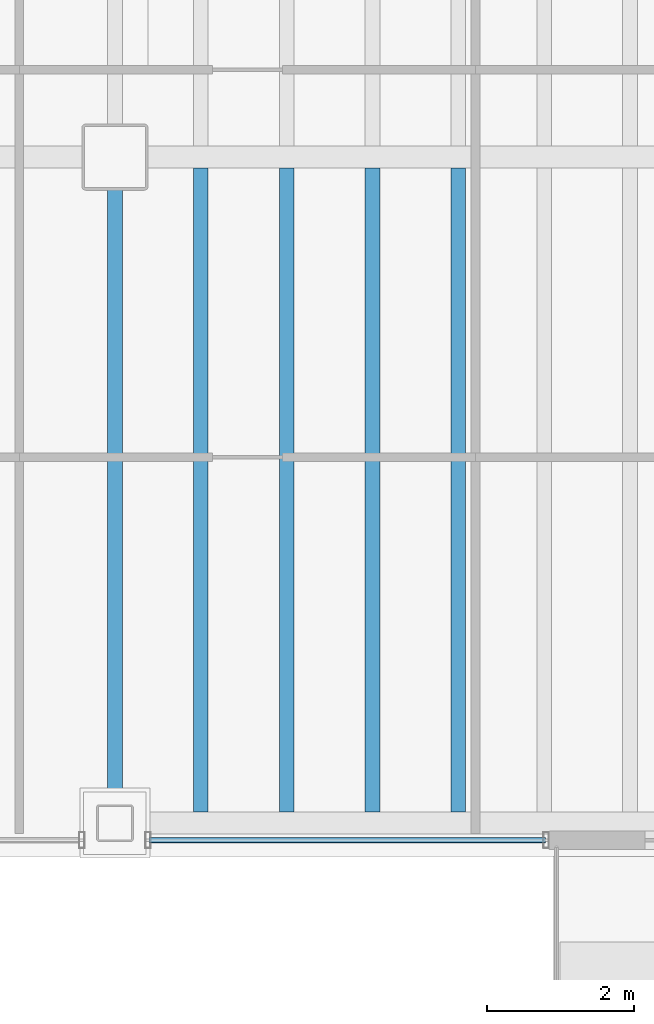
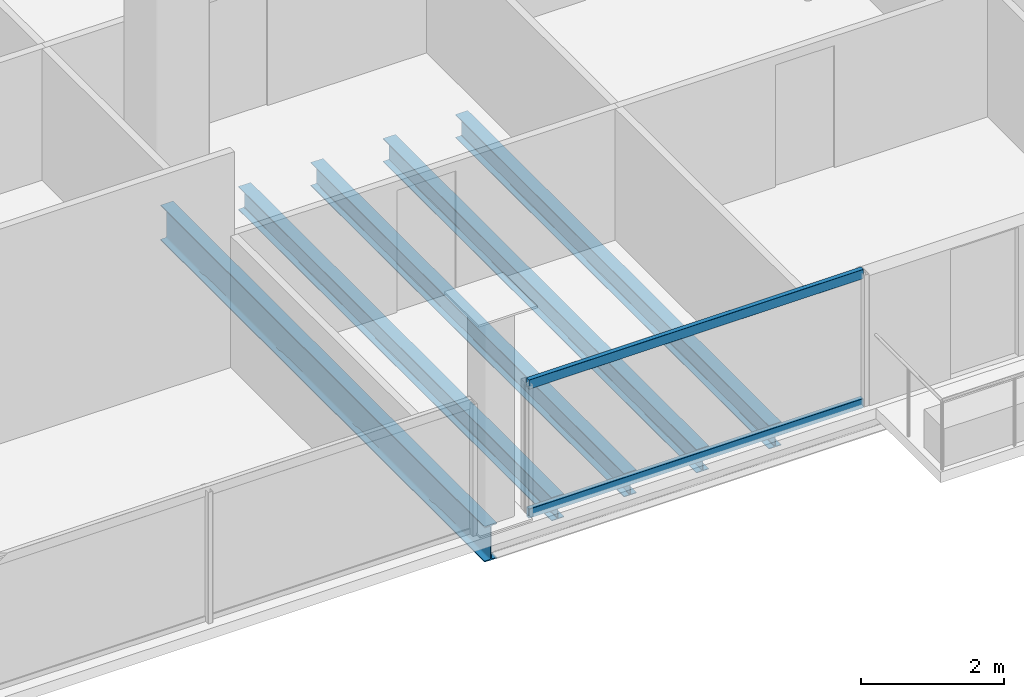
# One storey, part 3 of 22: 5 beams, 2 members, 1 element without a shape of its own.
"""IFC4 building model written with IfcOpenShell, lengths in metres."""

import ifcopenshell
import ifcopenshell.guid

model = None  # the IFC model being written
_history = None  # IfcOwnerHistory: only IFC2X3 demands one
_inside = {}  # id of a spatial element -> (the spatial element, [elements in it])
_under = {}  # id of a project, library or spatial element -> (it, [spatial elements below it])
_declared = {}  # id of a project -> (the project, [libraries it declares])
_typed = {}  # id of a type object -> (the type object, [elements of that type])
_made_of = {}  # id of a material, layer set ... -> (it, [elements and type objects made of it])


def new_model(schema):
    """Start an empty IFC model of exactly this schema.

    Asked for "IFC4X3", IfcOpenShell would pick the latest addendum, in which some entities
    have other attributes; the version numbers below select the first issue.
    IFC2X3 requires an IfcOwnerHistory on every rooted entity: one is made here for all.
    """
    global model, _history
    if schema == "IFC4X3":
        model = ifcopenshell.file(schema_version=(4, 3, 0, 0))
    else:
        model = ifcopenshell.file(schema=schema)
    _inside.clear()
    _under.clear()
    _declared.clear()
    _typed.clear()
    _made_of.clear()
    _history = None
    if model.schema == "IFC2X3":
        org = make("IfcOrganization", Name="unknown")
        user = make(
            "IfcPersonAndOrganization",
            ThePerson=make("IfcPerson", FamilyName="unknown"),
            TheOrganization=org,
        )
        app = make(
            "IfcApplication",
            ApplicationDeveloper=org,
            Version="unknown",
            ApplicationFullName="unknown",
            ApplicationIdentifier="unknown",
        )
        _history = make(
            "IfcOwnerHistory",
            OwningUser=user,
            OwningApplication=app,
            ChangeAction="ADDED",
            CreationDate=0,
        )
    return model


def make(cls, **values):
    """One entity of the class cls with the attributes given. An attribute that is None is left unset."""
    return model.create_entity(
        cls, **{name: value for name, value in values.items() if value is not None}
    )


def rooted(cls, **values):
    """An entity with a GlobalId (a new one), such as an element, a storey or a relation."""
    return make(cls, GlobalId=ifcopenshell.guid.new(), OwnerHistory=_history, **values)


def si_unit(unit_type, name, prefix=None):
    """IfcSIUnit, for example si_unit("LENGTHUNIT", "METRE", prefix="MILLI")."""
    return make("IfcSIUnit", UnitType=unit_type, Prefix=prefix, Name=name)


def assignment(units):
    """IfcUnitAssignment: the units of a project."""
    return None if units is None else make("IfcUnitAssignment", Units=units)


def point(xyz):
    """IfcCartesianPoint."""
    return None if xyz is None else make("IfcCartesianPoint", Coordinates=xyz)


def direction(xyz):
    """IfcDirection."""
    return None if xyz is None else make("IfcDirection", DirectionRatios=xyz)


def frame(location, z_axis=None, x_axis=None):
    """IfcAxis2Placement3D, a coordinate frame: its origin and axes. An axis left out is left unset."""
    return make(
        "IfcAxis2Placement3D",
        Location=point(location),
        Axis=direction(z_axis),
        RefDirection=direction(x_axis),
    )


def frame_2d(location, x_axis=None):
    """IfcAxis2Placement2D, a coordinate frame in the plane: its origin and x axis."""
    return make(
        "IfcAxis2Placement2D", Location=point(location), RefDirection=direction(x_axis)
    )


def origin():
    """The frame at (0, 0, 0) with its axes left unset."""
    return frame((0.0, 0.0, 0.0))


def origin_2d():
    """The frame at (0, 0) in the plane with its x axis left unset."""
    return frame_2d((0.0, 0.0))


def place(relative_to, where):
    """IfcLocalPlacement: puts the frame where relative to a parent placement (None: the world)."""
    return make(
        "IfcLocalPlacement", PlacementRelTo=relative_to, RelativePlacement=where
    )


def context(
    kind, dimensions, precision=None, world=None, true_north=None, identifier=None
):
    """IfcGeometricRepresentationContext, for example the 3D "Model" context."""
    return make(
        "IfcGeometricRepresentationContext",
        ContextIdentifier=identifier,
        ContextType=kind,
        CoordinateSpaceDimension=dimensions,
        Precision=precision,
        WorldCoordinateSystem=world,
        TrueNorth=true_north,
    )


def subcontext(parent, identifier, kind, view, scale=None):
    """IfcGeometricRepresentationSubContext, for example "Body" below "Model"."""
    return make(
        "IfcGeometricRepresentationSubContext",
        ContextIdentifier=identifier,
        ContextType=kind,
        ParentContext=parent,
        TargetScale=scale,
        TargetView=view,
    )


def project(units=None, contexts=None):
    """IfcProject with its units and contexts."""
    return rooted(
        "IfcProject",
        Name="project",
        RepresentationContexts=contexts,
        UnitsInContext=assignment(units),
    )


def spatial(cls, under=None, at=None, **own):
    """A site, building, storey or space (cls), placed at a placement, below another one or the project."""
    s = rooted(cls, ObjectPlacement=at, **own)
    if under is not None:
        _under.setdefault(under.id(), (under, []))[1].append(s)
    return s


def profile(cls, at=None, kind="AREA", **sizes):
    """A parametric profile (cls). Its sizes go by their IFC names, for example OverallWidth=200.0."""
    return make(cls, ProfileType=kind, Position=at, **sizes)


def hollow_rectangle(**sizes):
    """IfcRectangleHollowProfileDef."""
    return profile("IfcRectangleHollowProfileDef", **sizes)


def i_section(**sizes):
    """IfcIShapeProfileDef."""
    return profile("IfcIShapeProfileDef", **sizes)


def extrude(swept, where, along, depth):
    """IfcExtrudedAreaSolid: the profile swept, set in the frame where, extruded along a direction by depth."""
    return make(
        "IfcExtrudedAreaSolid",
        SweptArea=swept,
        Position=where,
        ExtrudedDirection=direction(along),
        Depth=depth,
    )


def shape(context_of_items, identifier, shape_type, items):
    """IfcShapeRepresentation: the items that make up one representation, for example the "Body"."""
    return make(
        "IfcShapeRepresentation",
        ContextOfItems=context_of_items,
        RepresentationIdentifier=identifier,
        RepresentationType=shape_type,
        Items=items,
    )


def material(Name=None, Category=None):
    """IfcMaterial."""
    return make("IfcMaterial", Name=Name, Category=Category)


def material_profile(
    of_material, cross_section, Name=None, Category=None, Priority=None
):
    """IfcMaterialProfile: a cross section and its material."""
    return make(
        "IfcMaterialProfile",
        Name=Name,
        Material=of_material,
        Profile=cross_section,
        Priority=Priority,
        Category=Category,
    )


def profile_set(profiles, Name=None, composite=None):
    """IfcMaterialProfileSet."""
    return make(
        "IfcMaterialProfileSet",
        Name=Name,
        MaterialProfiles=profiles,
        CompositeProfile=composite,
    )


def made_of(thing, what):
    """Note that an element or type object is made of a material, layer set ...; save() writes the relation."""
    if what is not None:
        _made_of.setdefault(what.id(), (what, []))[1].append(thing)
    return thing


def type_object(cls, material=None, **own):
    """A type object (cls), such as IfcWallType, which elements share."""
    return made_of(rooted(cls, **own), material)


def element(
    cls,
    number,
    at=None,
    inside=None,
    cuts=None,
    type_object=None,
    material=None,
    context=None,
    identifier="Body",
    shape_type=None,
    held_by="IfcProductDefinitionShape",
    body=None,
    shapes=None,
    **own,
):
    """One element of the class cls, such as IfcWall. Its Tag is "e" and its number.

    at: its placement. inside: the storey or other place that contains it. cuts: it is an
    opening in that element (IfcRelVoidsElement). A single representation is given by context,
    identifier, shape_type and body (its items); several are given by shapes. held_by: the class
    of the entity that holds the representations. save() writes the other relations.
    """
    e = rooted(cls, Tag="e%d" % number, ObjectPlacement=at, **own)
    if body is not None:
        shapes = [shape(context, identifier, shape_type, body)]
    if shapes is not None:
        e.Representation = make(held_by, Representations=shapes)
    if inside is not None:
        _inside.setdefault(inside.id(), (inside, []))[1].append(e)
    if cuts is not None:
        rooted(
            "IfcRelVoidsElement", RelatingBuildingElement=cuts, RelatedOpeningElement=e
        )
    if type_object is not None:
        _typed.setdefault(type_object.id(), (type_object, []))[1].append(e)
    return made_of(e, material)


def aggregate(whole, parts):
    """IfcRelAggregates: a whole, such as a stair, and the parts it consists of."""
    return rooted("IfcRelAggregates", RelatingObject=whole, RelatedObjects=parts)


def save(model, path):
    """Write the relations noted so far, then the file.

    IfcRelAggregates (storeys below a building ...), IfcRelContainedInSpatialStructure (elements
    in a storey), IfcRelDefinesByType, IfcRelAssociatesMaterial and IfcRelDeclares: one each for
    every whole, place, type object, material and project.
    """
    for whole, parts in _under.values():
        aggregate(whole, parts)
    for where, things in _inside.values():
        rooted(
            "IfcRelContainedInSpatialStructure",
            RelatedElements=things,
            RelatingStructure=where,
        )
    for kind, things in _typed.values():
        rooted("IfcRelDefinesByType", RelatedObjects=things, RelatingType=kind)
    for what, things in _made_of.values():
        rooted("IfcRelAssociatesMaterial", RelatedObjects=things, RelatingMaterial=what)
    for by, libraries in _declared.values():
        rooted("IfcRelDeclares", RelatingContext=by, RelatedDefinitions=libraries)
    model.write(path)


model = new_model("IFC4")

# Units and contexts
model_context = context("Model", 3, precision=1e-05, world=origin(), true_north=direction((0.0, 1.0)))
body_context = subcontext(model_context, "Body", "Model", "MODEL_VIEW")
ifc_project = project(units=[si_unit("LENGTHUNIT", "METRE"), si_unit("AREAUNIT", "SQUARE_METRE"), si_unit("VOLUMEUNIT", "CUBIC_METRE"), si_unit("PLANEANGLEUNIT", "RADIAN"), si_unit("MASSUNIT", "GRAM", prefix="KILO")], contexts=[model_context])

# Site, building, storey
site_placement = place(None, origin())
site = spatial("IfcSite", under=ifc_project, at=site_placement, CompositionType="ELEMENT")
building_placement = place(site_placement, origin())
building = spatial("IfcBuilding", under=site, at=building_placement, Name="Noeulbin Bourse Tower", CompositionType="ELEMENT")
storey_placement = place(building_placement, frame((0.0, 0.0, 138.300048828125)))
storey = spatial("IfcBuildingStorey", under=building, at=storey_placement, Name="L34", CompositionType="ELEMENT", Elevation=138.300048828125)

# Beams
ifc_material_1 = material(Name="Steel S355", Category="steel")
ifc_material_profile_1 = material_profile(ifc_material_1, i_section(OverallWidth=0.199951171875, OverallDepth=0.60009765625, WebThickness=0.010986328125, FlangeThickness=0.01708984375, FilletRadius=0.02197265625, at=origin_2d()), Name="H-600x200x11x17", Category="LoadBearing")
ifc_profile_set_1 = profile_set([ifc_material_profile_1], Name="Steel S355")
beam_type_1 = type_object("IfcBeamType", Name="BM-GRD-600", PredefinedType="USERDEFINED", material=ifc_profile_set_1)
beam_placement = place(storey_placement, frame((13.5, 10.949951171875, -0.47998046875), z_axis=(0.0, 1.0, 0.0), x_axis=(-1.0, 0.0, 0.0)))
element("IfcBeam", 1, at=beam_placement, inside=storey, type_object=beam_type_1, Name="Tower Primary Girder NS L34-1.1", ObjectType="GIRDER", PredefinedType="USERDEFINED", context=body_context, shape_type="SweptSolid", body=[
    extrude(i_section(OverallWidth=0.199951171875, OverallDepth=0.60009765625, WebThickness=0.010986328125, FlangeThickness=0.01708984375, FilletRadius=0.02197265625, at=origin_2d()), origin(), (0.0, 0.0, 1.0), 9.050048828125),
])
ifc_material_profile_2 = material_profile(ifc_material_1, i_section(OverallWidth=0.199951171875, OverallDepth=0.39990234375, WebThickness=0.008056640625, FlangeThickness=0.012939453125, FilletRadius=0.01611328125, at=origin_2d()), Name="H-400x200x8x13", Category="LoadBearing")
ifc_profile_set_2 = profile_set([ifc_material_profile_2], Name="Steel S355")
beam_type_2 = type_object("IfcBeamType", Name="BM-SEC-400", PredefinedType="BEAM", material=ifc_profile_set_2)
for number, where, z_axis, x_axis, name in (
    (2, (14.666748046875, 11.10009765625, -0.380126953125), (0.0, 1.0, 0.0), (-1.0, 0.0, 0.0), "Tower Composite Joist L34-01"),
    (3, (15.833251953125, 11.10009765625, -0.380126953125), (0.0, 1.0, 0.0), (-1.0, 0.0, 0.0), "Tower Composite Joist L34-03"),
    (4, (17.0, 11.10009765625, -0.380126953125), (0.0, 1.0, 0.0), (-1.0, 0.0, 0.0), "Tower Composite Joist L34-05"),
    (5, (18.166748046875, 11.10009765625, -0.380126953125), (0.0, 1.0, 0.0), (-1.0, 0.0, 0.0), "Tower Composite Joist L34-07"),
):
    element("IfcBeam", number, at=place(storey_placement, frame(where, z_axis=z_axis, x_axis=x_axis)), inside=storey, type_object=beam_type_2, Name=name, PredefinedType="BEAM", context=body_context, shape_type="SweptSolid", body=[
        extrude(i_section(OverallWidth=0.199951171875, OverallDepth=0.39990234375, WebThickness=0.008056640625, FlangeThickness=0.012939453125, FilletRadius=0.01611328125, at=origin_2d()), origin(), (0.0, 0.0, 1.0), 8.75),
    ])

# Curtain wall, members
ifc_material_2 = material(Name="Dark Tinted Triple Glazing", Category="glass")
curtain_wall_type = type_object("IfcCurtainWallType", Name="CW-SYS-3", PredefinedType="NOTDEFINED", material=ifc_material_2)
curtain_wall_placement = place(storey_placement, origin())
curtain_wall = element("IfcCurtainWall", 6, at=curtain_wall_placement, inside=storey, type_object=curtain_wall_type, Name="Unitised Curtain Wall CW-L34-S1-S2", PredefinedType="NOTDEFINED")
ifc_material_3 = material(Name="Anodised Aluminium 6063-T6", Category="aluminium")
ifc_material_profile_3 = material_profile(ifc_material_3, hollow_rectangle(XDim=0.074951171875, YDim=0.159912109375, WallThickness=0.0048828125, InnerFilletRadius=0.00244140625, OuterFilletRadius=0.0048828125, at=origin_2d()), Name="ALU-TRAN-75x160x5", Category="LoadBearing")
ifc_profile_set_3 = profile_set([ifc_material_profile_3], Name="Anodised Aluminium 6063-T6")
member_type = type_object("IfcMemberType", Name="CW-SYS-3-TRN", PredefinedType="USERDEFINED", material=ifc_profile_set_3)
member_1_placement = place(storey_placement, frame((13.9599609375, 10.719970703125, 0.010009765625), z_axis=(1.0, 0.0, 0.0), x_axis=(0.0, 1.0, 0.0)))
member_1 = element("IfcMember", 7, at=member_1_placement, type_object=member_type, Name="Curtain Wall Transom CW-L34-S1-S2-T00", ObjectType="TRANSOM", PredefinedType="USERDEFINED", context=body_context, shape_type="SweptSolid", body=[
    extrude(hollow_rectangle(XDim=0.074951171875, YDim=0.159912109375, WallThickness=0.0048828125, InnerFilletRadius=0.00244140625, OuterFilletRadius=0.0048828125, at=origin_2d()), origin(), (0.0, 0.0, 1.0), 5.39013671875),
])
member_2_placement = place(storey_placement, frame((13.9599609375, 10.719970703125, 2.2099609375), z_axis=(1.0, 0.0, 0.0), x_axis=(0.0, 1.0, 0.0)))
member_2 = element("IfcMember", 8, at=member_2_placement, type_object=member_type, Name="Curtain Wall Transom CW-L34-S1-S2-T01", ObjectType="TRANSOM", PredefinedType="USERDEFINED", context=body_context, shape_type="SweptSolid", body=[
    extrude(hollow_rectangle(XDim=0.074951171875, YDim=0.159912109375, WallThickness=0.0048828125, InnerFilletRadius=0.00244140625, OuterFilletRadius=0.0048828125, at=origin_2d()), origin(), (0.0, 0.0, 1.0), 5.39013671875),
])
aggregate(curtain_wall, [member_1, member_2])

save(model, "model.ifc")
